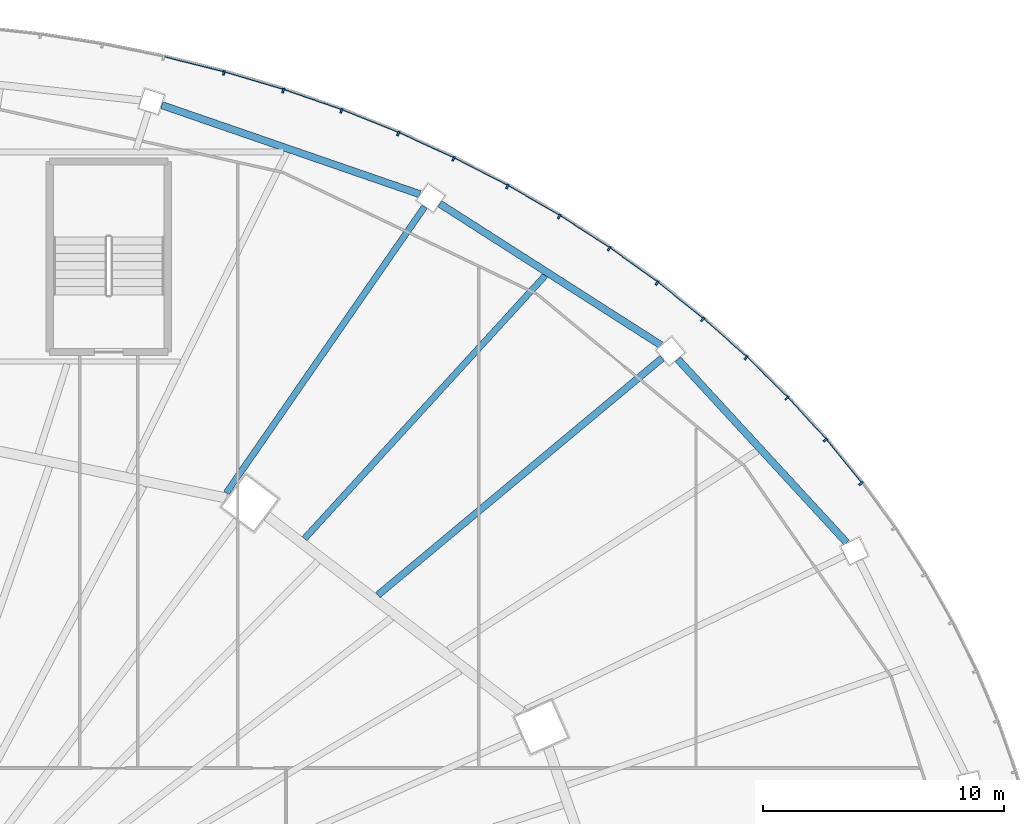
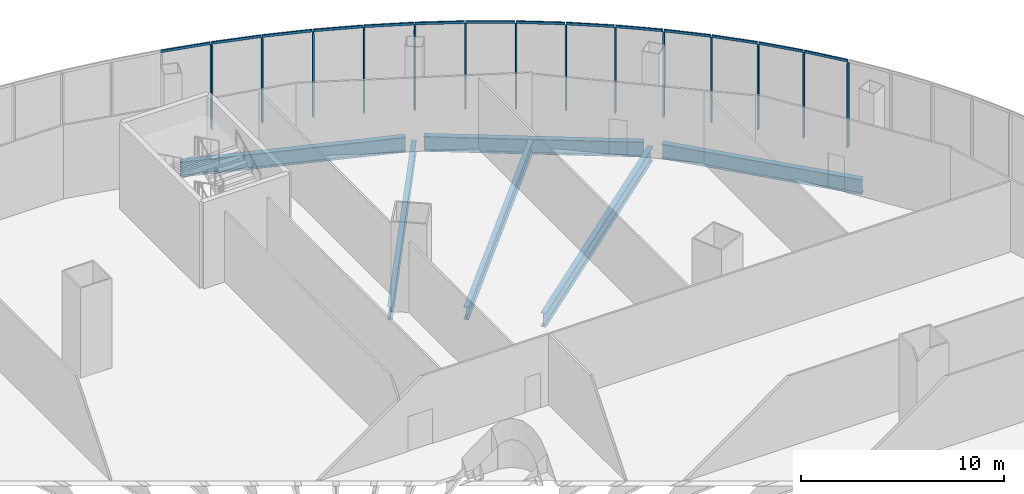
# One storey, part 15 of 42: 28 members, 6 beams, 3 elements without a shape of their own.
"""IFC4 building model written with IfcOpenShell, lengths in metres."""

from ifc_helpers import new_model, si_unit, direction, frame, origin, origin_2d, place, context, subcontext, project, spatial, rectangle, i_section, extrude, material, layer, layer_set, material_profile, profile_set, type_object, element, aggregate, save


model = new_model("IFC4")

# Units and contexts
model_context = context("Model", 3, precision=1e-05, world=origin(), true_north=direction((0.0, 1.0)))
body_context = subcontext(model_context, "Body", "Model", "MODEL_VIEW")
ifc_project = project(units=[si_unit("LENGTHUNIT", "METRE"), si_unit("AREAUNIT", "SQUARE_METRE"), si_unit("VOLUMEUNIT", "CUBIC_METRE"), si_unit("PLANEANGLEUNIT", "RADIAN"), si_unit("MASSUNIT", "GRAM", prefix="KILO")], contexts=[model_context])

# Site, building, storey
site_placement = place(None, origin())
site = spatial("IfcSite", under=ifc_project, at=site_placement, CompositionType="ELEMENT")
building_placement = place(site_placement, origin())
building = spatial("IfcBuilding", under=site, at=building_placement, Name="Sahrelin Media Tower", CompositionType="ELEMENT")
storey_placement = place(building_placement, frame((0.0, 0.0, 26.0)))
storey = spatial("IfcBuildingStorey", under=building, at=storey_placement, Name="L03", CompositionType="ELEMENT", Elevation=26.0)

# Curtain wall, members
ifc_material_1 = material(Name="Champagne anodised aluminium 6063-T6", Category="aluminium")
ifc_layer = layer(ifc_material_1, 0.14990234375)
ifc_layer_set = layer_set([ifc_layer], Name="Podium ribbon curtain wall")
curtain_wall_type = type_object("IfcCurtainWallType", Name="Podium ribbon curtain wall", PredefinedType="NOTDEFINED", material=ifc_layer_set)
curtain_wall_1_placement = place(storey_placement, frame((43.30126953125, 21.0, 0.0), z_axis=(0.0, 0.0, 1.0), x_axis=(1.0, 0.0, 0.0)))
curtain_wall_1 = element("IfcCurtainWall", 1, at=curtain_wall_1_placement, inside=storey, type_object=curtain_wall_type, Name="L03:CW:L03-P02", PredefinedType="NOTDEFINED")
ifc_material_profile_1 = material_profile(ifc_material_1, rectangle(XDim=0.080078125, YDim=0.199951171875, at=origin_2d()), Name="Mullion 80x200")
ifc_profile_set_1 = profile_set([ifc_material_profile_1], Name="Champagne anodised aluminium 6063-T6")
member_type_1 = type_object("IfcMemberType", Name="Mullion 80x200 CW5", PredefinedType="MULLION", material=ifc_profile_set_1)
member_1_placement = place(storey_placement, frame((41.840576171875, 22.798828125, 0.0), z_axis=(0.0, 0.0, 1.0), x_axis=(-0.633234995933, 0.77395958546, 0.0)))
member_1 = element("IfcMember", 2, at=member_1_placement, type_object=member_type_1, Name="L03:CWM2:L03-P02", PredefinedType="MULLION", context=body_context, shape_type="SweptSolid", body=[
    extrude(rectangle(XDim=0.080078125, YDim=0.199951171875, at=origin_2d()), origin(), (0.0, 0.0, 1.0), 5.050048828125),
])
member_2_placement = place(storey_placement, frame((40.3623046875, 24.606201171875, 0.0), z_axis=(0.0, 0.0, 1.0), x_axis=(-0.67442997344, 0.738338818514, 0.0)))
member_2 = element("IfcMember", 3, at=member_2_placement, type_object=member_type_1, Name="L03:CWM3:L03-P02", PredefinedType="MULLION", context=body_context, shape_type="SweptSolid", body=[
    extrude(rectangle(XDim=0.080078125, YDim=0.199951171875, at=origin_2d()), origin(), (0.0, 0.0, 1.0), 5.050048828125),
])
member_3_placement = place(storey_placement, frame((38.773193359375, 26.345947265625, 0.0), z_axis=(0.0, 0.0, 1.0), x_axis=(-0.712973923933, 0.70119054742, 0.0)))
member_3 = element("IfcMember", 4, at=member_3_placement, type_object=member_type_1, Name="L03:CWM4:L03-P02", PredefinedType="MULLION", context=body_context, shape_type="SweptSolid", body=[
    extrude(rectangle(XDim=0.080078125, YDim=0.199951171875, at=origin_2d()), origin(), (0.0, 0.0, 1.0), 5.050048828125),
])
member_4_placement = place(storey_placement, frame((37.07763671875, 28.013671875, 0.0), z_axis=(0.0, 0.0, 1.0), x_axis=(-0.748788005735, 0.662809567272, 0.0)))
member_4 = element("IfcMember", 5, at=member_4_placement, type_object=member_type_1, Name="L03:CWM5:L03-P02", PredefinedType="MULLION", context=body_context, shape_type="SweptSolid", body=[
    extrude(rectangle(XDim=0.080078125, YDim=0.199951171875, at=origin_2d()), origin(), (0.0, 0.0, 1.0), 5.050048828125),
])

curtain_wall_2_placement = place(storey_placement, frame((35.355224609375, 29.698486328125, 0.0), z_axis=(0.0, 0.0, 1.0), x_axis=(1.0, 0.0, 0.0)))
curtain_wall_2 = element("IfcCurtainWall", 6, at=curtain_wall_2_placement, inside=storey, type_object=curtain_wall_type, Name="L03:CW:L03-P03", PredefinedType="NOTDEFINED")
member_5_placement = place(storey_placement, frame((35.280517578125, 29.604736328125, 0.0), z_axis=(0.0, 0.0, 1.0), x_axis=(-0.781960183728, 0.623328381405, 0.0)))
member_5 = element("IfcMember", 7, at=member_5_placement, type_object=member_type_1, Name="L03:CWM1:L03-P03", PredefinedType="MULLION", context=body_context, shape_type="SweptSolid", body=[
    extrude(rectangle(XDim=0.080078125, YDim=0.199951171875, at=origin_2d()), origin(), (0.0, 0.0, 1.0), 5.050048828125),
])
member_6_placement = place(storey_placement, frame((33.38671875, 31.114501953125, 0.0), z_axis=(0.0, 0.0, 1.0), x_axis=(-0.812532432251, 0.582915985834, 0.0)))
member_6 = element("IfcMember", 8, at=member_6_placement, type_object=member_type_1, Name="L03:CWM2:L03-P03", PredefinedType="MULLION", context=body_context, shape_type="SweptSolid", body=[
    extrude(rectangle(XDim=0.080078125, YDim=0.199951171875, at=origin_2d()), origin(), (0.0, 0.0, 1.0), 5.050048828125),
])
member_7_placement = place(storey_placement, frame((31.40087890625, 32.539306640625, 0.0), z_axis=(0.0, 0.0, 1.0), x_axis=(-0.840519327336, 0.541781561494, 0.0)))
member_7 = element("IfcMember", 9, at=member_7_placement, type_object=member_type_1, Name="L03:CWM3:L03-P03", PredefinedType="MULLION", context=body_context, shape_type="SweptSolid", body=[
    extrude(rectangle(XDim=0.080078125, YDim=0.199951171875, at=origin_2d()), origin(), (0.0, 0.0, 1.0), 5.050048828125),
])
member_8_placement = place(storey_placement, frame((29.329345703125, 33.874755859375, 0.0), z_axis=(0.0, 0.0, 1.0), x_axis=(-0.866028894422, 0.49999395399, 0.0)))
member_8 = element("IfcMember", 10, at=member_8_placement, type_object=member_type_1, Name="L03:CWM4:L03-P03", PredefinedType="MULLION", context=body_context, shape_type="SweptSolid", body=[
    extrude(rectangle(XDim=0.080078125, YDim=0.199951171875, at=origin_2d()), origin(), (0.0, 0.0, 1.0), 5.050048828125),
])
member_9_placement = place(storey_placement, frame((27.177001953125, 35.117431640625, 0.0), z_axis=(0.0, 0.0, 1.0), x_axis=(-0.889123403251, 0.457667536309, 0.0)))
member_9 = element("IfcMember", 11, at=member_9_placement, type_object=member_type_1, Name="L03:CWM5:L03-P03", PredefinedType="MULLION", context=body_context, shape_type="SweptSolid", body=[
    extrude(rectangle(XDim=0.080078125, YDim=0.199951171875, at=origin_2d()), origin(), (0.0, 0.0, 1.0), 5.050048828125),
])

curtain_wall_3_placement = place(storey_placement, frame((25.0, 36.373046875, 0.0), z_axis=(0.0, 0.0, 1.0), x_axis=(1.0, 0.0, 0.0)))
curtain_wall_3 = element("IfcCurtainWall", 12, at=curtain_wall_3_placement, inside=storey, type_object=curtain_wall_type, Name="L03:CW:L03-P04", PredefinedType="NOTDEFINED")
member_10_placement = place(storey_placement, frame((24.9501953125, 36.263916015625, 0.0), z_axis=(0.0, 0.0, 1.0), x_axis=(-0.909841810065, 0.414955275491, 0.0)))
member_10 = element("IfcMember", 13, at=member_10_placement, type_object=member_type_1, Name="L03:CWM1:L03-P04", PredefinedType="MULLION", context=body_context, shape_type="SweptSolid", body=[
    extrude(rectangle(XDim=0.080078125, YDim=0.199951171875, at=origin_2d()), origin(), (0.0, 0.0, 1.0), 5.050048828125),
])
member_11_placement = place(storey_placement, frame((22.65478515625, 37.310791015625, 0.0), z_axis=(0.0, 0.0, 1.0), x_axis=(-0.928270482181, 0.371905783648, 0.0)))
member_11 = element("IfcMember", 14, at=member_11_placement, type_object=member_type_1, Name="L03:CWM2:L03-P04", PredefinedType="MULLION", context=body_context, shape_type="SweptSolid", body=[
    extrude(rectangle(XDim=0.080078125, YDim=0.199951171875, at=origin_2d()), origin(), (0.0, 0.0, 1.0), 5.050048828125),
])
member_12_placement = place(storey_placement, frame((20.29736328125, 38.255615234375, 0.0), z_axis=(0.0, 0.0, 1.0), x_axis=(-0.944458420046, 0.328630937077, 0.0)))
member_12 = element("IfcMember", 15, at=member_12_placement, type_object=member_type_1, Name="L03:CWM3:L03-P04", PredefinedType="MULLION", context=body_context, shape_type="SweptSolid", body=[
    extrude(rectangle(XDim=0.080078125, YDim=0.199951171875, at=origin_2d()), origin(), (0.0, 0.0, 1.0), 5.050048828125),
])
member_13_placement = place(storey_placement, frame((17.88427734375, 39.095458984375, 0.0), z_axis=(0.0, 0.0, 1.0), x_axis=(-0.958494922328, 0.285109599754, 0.0)))
member_13 = element("IfcMember", 16, at=member_13_placement, type_object=member_type_1, Name="L03:CWM4:L03-P04", PredefinedType="MULLION", context=body_context, shape_type="SweptSolid", body=[
    extrude(rectangle(XDim=0.080078125, YDim=0.199951171875, at=origin_2d()), origin(), (0.0, 0.0, 1.0), 5.050048828125),
])
member_14_placement = place(storey_placement, frame((15.421875, 39.827880859375, 0.0), z_axis=(0.0, 0.0, 1.0), x_axis=(-0.970410464409, 0.241461240296, 0.0)))
member_14 = element("IfcMember", 17, at=member_14_placement, type_object=member_type_1, Name="L03:CWM5:L03-P04", PredefinedType="MULLION", context=body_context, shape_type="SweptSolid", body=[
    extrude(rectangle(XDim=0.080078125, YDim=0.199951171875, at=origin_2d()), origin(), (0.0, 0.0, 1.0), 5.050048828125),
])

# Beams
ifc_material_2 = material(Name="Steel S355", Category="steel")
ifc_material_profile_2 = material_profile(ifc_material_2, i_section(OverallWidth=0.30322265625, OverallDepth=0.903076171875, WebThickness=0.01513671875, FlangeThickness=0.020263671875, FilletRadius=0.01904296875, at=origin_2d()), Name="UB 914x305x201")
ifc_profile_set_2 = profile_set([ifc_material_profile_2], Name="Steel S355")
beam_type_1 = type_object("IfcBeamType", Name="Podium edge girder PE11", PredefinedType="BEAM", material=ifc_profile_set_2)
beam_1_placement = place(storey_placement, frame((41.25048828125, 20.34619140625, -0.651611328125), z_axis=(-0.677370529771, 0.735642008995, 0.0), x_axis=(-0.735642008995, -0.677370529771, 0.0)))
element("IfcBeam", 18, at=beam_1_placement, inside=storey, type_object=beam_type_1, Name="Podium edge girder L03-03", PredefinedType="BEAM", context=body_context, shape_type="SweptSolid", body=[
    extrude(i_section(OverallWidth=0.30322265625, OverallDepth=0.903076171875, WebThickness=0.01513671875, FlangeThickness=0.020263671875, FilletRadius=0.01904296875, at=origin_2d()), origin(), (0.0, 0.0, 1.0), 10.340087890625),
])
beam_2_placement = place(storey_placement, frame((33.54345703125, 28.53857421875, -0.651611328125), z_axis=(-0.842485743715, 0.538718638657, 0.0), x_axis=(-0.538718638657, -0.842485743715, 0.0)))
element("IfcBeam", 19, at=beam_2_placement, inside=storey, type_object=beam_type_1, Name="Podium edge girder L03-04", PredefinedType="BEAM", context=body_context, shape_type="SweptSolid", body=[
    extrude(i_section(OverallWidth=0.30322265625, OverallDepth=0.903076171875, WebThickness=0.01513671875, FlangeThickness=0.020263671875, FilletRadius=0.01904296875, at=origin_2d()), origin(), (0.0, 0.0, 1.0), 10.87744140625),
])
beam_3_placement = place(storey_placement, frame((23.55810546875, 34.79345703125, -0.651611328125), z_axis=(-0.94527240249, 0.32628221694, 0.0), x_axis=(-0.32628221694, -0.94527240249, 0.0)))
element("IfcBeam", 20, at=beam_3_placement, inside=storey, type_object=beam_type_1, Name="Podium edge girder L03-05", PredefinedType="BEAM", context=body_context, shape_type="SweptSolid", body=[
    extrude(i_section(OverallWidth=0.30322265625, OverallDepth=0.903076171875, WebThickness=0.01513671875, FlangeThickness=0.020263671875, FilletRadius=0.01904296875, at=origin_2d()), origin(), (0.0, 0.0, 1.0), 11.329345703125),
])
ifc_material_profile_3 = material_profile(ifc_material_2, i_section(OverallWidth=0.291748046875, OverallDepth=0.8349609375, WebThickness=0.013916015625, FlangeThickness=0.018798828125, FilletRadius=0.017822265625, at=origin_2d()), Name="UB 838x292x176")
ifc_profile_set_3 = profile_set([ifc_material_profile_3], Name="Steel S355")
beam_type_2 = type_object("IfcBeamType", Name="Radial primary beam PB10", PredefinedType="BEAM", material=ifc_profile_set_3)
beam_4_placement = place(storey_placement, frame((21.809326171875, 18.174560546875, -0.617431640625), z_axis=(0.768229105739, 0.640175008178, 0.0), x_axis=(-0.640175008178, 0.768229105739, 0.0)))
element("IfcBeam", 21, at=beam_4_placement, inside=storey, type_object=beam_type_2, Name="Radial beam L03-04", PredefinedType="BEAM", context=body_context, shape_type="SweptSolid", body=[
    extrude(i_section(OverallWidth=0.291748046875, OverallDepth=0.8349609375, WebThickness=0.013916015625, FlangeThickness=0.018798828125, FilletRadius=0.017822265625, at=origin_2d()), origin(), (0.0, 0.0, 1.0), 15.342041015625),
])
ifc_material_profile_4 = material_profile(ifc_material_2, i_section(OverallWidth=0.26513671875, OverallDepth=0.75390625, WebThickness=0.0126953125, FlangeThickness=0.017578125, FilletRadius=0.0166015625, at=origin_2d()), Name="UB 762x267x147")
ifc_profile_set_4 = profile_set([ifc_material_profile_4], Name="Steel S355")
beam_type_3 = type_object("IfcBeamType", Name="Radial primary beam PB9", PredefinedType="BEAM", material=ifc_profile_set_4)
beam_5_placement = place(storey_placement, frame((15.527099609375, 22.411376953125, -0.576904296875), z_axis=(0.569493278726, 0.821995988729, 0.0), x_axis=(-0.821995988729, 0.569493278726, 0.0)))
element("IfcBeam", 22, at=beam_5_placement, inside=storey, type_object=beam_type_3, Name="Radial beam L03-05", PredefinedType="BEAM", context=body_context, shape_type="SweptSolid", body=[
    extrude(i_section(OverallWidth=0.26513671875, OverallDepth=0.75390625, WebThickness=0.0126953125, FlangeThickness=0.017578125, FilletRadius=0.0166015625, at=origin_2d()), origin(), (0.0, 0.0, 1.0), 14.427734375),
])
ifc_material_profile_5 = material_profile(ifc_material_2, i_section(OverallWidth=0.26513671875, OverallDepth=0.75390625, WebThickness=0.0126953125, FlangeThickness=0.017578125, FilletRadius=0.0166015625, at=origin_2d()), Name="UB 762x267x147")
ifc_profile_set_5 = profile_set([ifc_material_profile_5], Name="Steel S355")
beam_type_4 = type_object("IfcBeamType", Name="Radial secondary beam SB9", PredefinedType="BEAM", material=ifc_profile_set_5)
beam_6_placement = place(storey_placement, frame((18.7685546875, 20.514892578125, -0.576904296875), z_axis=(0.675004282666, 0.737813810106, 0.0), x_axis=(-0.737813810106, 0.675004282666, 0.0)))
element("IfcBeam", 23, at=beam_6_placement, inside=storey, type_object=beam_type_4, Name="Secondary beam L03-04", PredefinedType="BEAM", context=body_context, shape_type="SweptSolid", body=[
    extrude(i_section(OverallWidth=0.26513671875, OverallDepth=0.75390625, WebThickness=0.0126953125, FlangeThickness=0.017578125, FilletRadius=0.0166015625, at=origin_2d()), origin(), (0.0, 0.0, 1.0), 14.7861328125),
])

# Member
ifc_material_profile_6 = material_profile(ifc_material_1, rectangle(XDim=0.06005859375, YDim=0.14990234375, at=origin_2d()), Name="Transom 60x150")
ifc_profile_set_6 = profile_set([ifc_material_profile_6], Name="Champagne anodised aluminium 6063-T6")
member_type_2 = type_object("IfcMemberType", Name="Transom 60x150 CW5", PredefinedType="USERDEFINED", material=ifc_profile_set_6)
member_15_placement = place(storey_placement, frame((41.863037109375, 22.8818359375, 5.125), z_axis=(-0.633220383586, 0.773971540698, 0.0), x_axis=(-0.773971540698, -0.633220383586, 0.0)))
member_15 = element("IfcMember", 24, at=member_15_placement, type_object=member_type_2, Name="L03:CWT2a:L03-P02", ObjectType="TRANSOM", PredefinedType="USERDEFINED", context=body_context, shape_type="SweptSolid", body=[
    extrude(rectangle(XDim=0.06005859375, YDim=0.14990234375, at=origin_2d()), origin(), (0.0, 0.0, 1.0), 2.291259765625),
])

member_16_placement = place(storey_placement, frame((40.380126953125, 24.690185546875, 5.125), z_axis=(-0.674452068042, 0.738318635762, 0.0), x_axis=(-0.738318635762, -0.674452068042, 0.0)))
member_16 = element("IfcMember", 25, at=member_16_placement, type_object=member_type_2, Name="L03:CWT3a:L03-P02", ObjectType="TRANSOM", PredefinedType="USERDEFINED", context=body_context, shape_type="SweptSolid", body=[
    extrude(rectangle(XDim=0.06005859375, YDim=0.14990234375, at=origin_2d()), origin(), (0.0, 0.0, 1.0), 2.312744140625),
])

member_17_placement = place(storey_placement, frame((38.78662109375, 26.430908203125, 5.125), z_axis=(-0.712990568358, 0.701173622887, 0.0), x_axis=(-0.701173622887, -0.712990568358, 0.0)))
member_17 = element("IfcMember", 26, at=member_17_placement, type_object=member_type_2, Name="L03:CWT4a:L03-P02", ObjectType="TRANSOM", PredefinedType="USERDEFINED", context=body_context, shape_type="SweptSolid", body=[
    extrude(rectangle(XDim=0.06005859375, YDim=0.14990234375, at=origin_2d()), origin(), (0.0, 0.0, 1.0), 2.334716796875),
])

member_18_placement = place(storey_placement, frame((37.086669921875, 28.09912109375, 5.125), z_axis=(-0.74874536596, 0.662857735078, 0.0), x_axis=(-0.662857735078, -0.74874536596, 0.0)))
member_18 = element("IfcMember", 27, at=member_18_placement, type_object=member_type_2, Name="L03:CWT5a:L03-P02", ObjectType="TRANSOM", PredefinedType="USERDEFINED", context=body_context, shape_type="SweptSolid", body=[
    extrude(rectangle(XDim=0.06005859375, YDim=0.14990234375, at=origin_2d()), origin(), (0.0, 0.0, 1.0), 2.3564453125),
])

aggregate(curtain_wall_1, [member_1, member_15, member_2, member_16, member_3, member_17, member_4, member_18])

member_19_placement = place(storey_placement, frame((35.284912109375, 29.690673828125, 5.125), z_axis=(-0.781949308238, 0.62334202437, 0.0), x_axis=(-0.62334202437, -0.781949308238, 0.0)))
member_19 = element("IfcMember", 28, at=member_19_placement, type_object=member_type_2, Name="L03:CWT1a:L03-P03", ObjectType="TRANSOM", PredefinedType="USERDEFINED", context=body_context, shape_type="SweptSolid", body=[
    extrude(rectangle(XDim=0.06005859375, YDim=0.14990234375, at=origin_2d()), origin(), (0.0, 0.0, 1.0), 2.378173828125),
])

member_20_placement = place(storey_placement, frame((33.38671875, 31.20068359375, 5.125), z_axis=(-0.812494250999, 0.582969203384, 0.0), x_axis=(-0.582969203384, -0.812494250999, 0.0)))
member_20 = element("IfcMember", 29, at=member_20_placement, type_object=member_type_2, Name="L03:CWT2a:L03-P03", ObjectType="TRANSOM", PredefinedType="USERDEFINED", context=body_context, shape_type="SweptSolid", body=[
    extrude(rectangle(XDim=0.06005859375, YDim=0.14990234375, at=origin_2d()), origin(), (0.0, 0.0, 1.0), 2.399658203125),
])

member_21_placement = place(storey_placement, frame((31.39697265625, 32.625244140625, 5.125), z_axis=(-0.840515923585, 0.541786842033, 0.0), x_axis=(-0.541786842033, -0.840515923585, 0.0)))
member_21 = element("IfcMember", 30, at=member_21_placement, type_object=member_type_2, Name="L03:CWT3a:L03-P03", ObjectType="TRANSOM", PredefinedType="USERDEFINED", context=body_context, shape_type="SweptSolid", body=[
    extrude(rectangle(XDim=0.06005859375, YDim=0.14990234375, at=origin_2d()), origin(), (0.0, 0.0, 1.0), 2.420654296875),
])

member_22_placement = place(storey_placement, frame((29.321044921875, 33.96044921875, 5.125), z_axis=(-0.866037355757, 0.499979298005, 0.0), x_axis=(-0.499979298005, -0.866037355757, 0.0)))
member_22 = element("IfcMember", 31, at=member_22_placement, type_object=member_type_2, Name="L03:CWT4a:L03-P03", ObjectType="TRANSOM", PredefinedType="USERDEFINED", context=body_context, shape_type="SweptSolid", body=[
    extrude(rectangle(XDim=0.06005859375, YDim=0.14990234375, at=origin_2d()), origin(), (0.0, 0.0, 1.0), 2.44091796875),
])

member_23_placement = place(storey_placement, frame((27.164794921875, 35.20263671875, 5.125), z_axis=(-0.889147091366, 0.457621513824, 0.0), x_axis=(-0.457621513824, -0.889147091366, 0.0)))
member_23 = element("IfcMember", 32, at=member_23_placement, type_object=member_type_2, Name="L03:CWT5a:L03-P03", ObjectType="TRANSOM", PredefinedType="USERDEFINED", context=body_context, shape_type="SweptSolid", body=[
    extrude(rectangle(XDim=0.06005859375, YDim=0.14990234375, at=origin_2d()), origin(), (0.0, 0.0, 1.0), 2.46044921875),
])

aggregate(curtain_wall_2, [member_5, member_19, member_6, member_20, member_7, member_21, member_8, member_22, member_9, member_23])

member_24_placement = place(storey_placement, frame((24.933837890625, 36.348388671875, 5.125), z_axis=(-0.909869936632, 0.414893598906, 0.0), x_axis=(-0.414893598906, -0.909869936632, 0.0)))
member_24 = element("IfcMember", 33, at=member_24_placement, type_object=member_type_2, Name="L03:CWT1a:L03-P04", ObjectType="TRANSOM", PredefinedType="USERDEFINED", context=body_context, shape_type="SweptSolid", body=[
    extrude(rectangle(XDim=0.06005859375, YDim=0.14990234375, at=origin_2d()), origin(), (0.0, 0.0, 1.0), 2.478515625),
])

member_25_placement = place(storey_placement, frame((22.634521484375, 37.39453125, 5.125), z_axis=(-0.928280887293, 0.371879811615, 0.0), x_axis=(-0.371879811615, -0.928280887293, 0.0)))
member_25 = element("IfcMember", 34, at=member_25_placement, type_object=member_type_2, Name="L03:CWT2a:L03-P04", ObjectType="TRANSOM", PredefinedType="USERDEFINED", context=body_context, shape_type="SweptSolid", body=[
    extrude(rectangle(XDim=0.06005859375, YDim=0.14990234375, at=origin_2d()), origin(), (0.0, 0.0, 1.0), 2.495361328125),
])

member_26_placement = place(storey_placement, frame((20.273193359375, 38.338134765625, 5.125), z_axis=(-0.944469242615, 0.328599832248, 0.0), x_axis=(-0.328599832248, -0.944469242615, 0.0)))
member_26 = element("IfcMember", 35, at=member_26_placement, type_object=member_type_2, Name="L03:CWT3a:L03-P04", ObjectType="TRANSOM", PredefinedType="USERDEFINED", context=body_context, shape_type="SweptSolid", body=[
    extrude(rectangle(XDim=0.06005859375, YDim=0.14990234375, at=origin_2d()), origin(), (0.0, 0.0, 1.0), 2.510498046875),
])

member_27_placement = place(storey_placement, frame((17.856201171875, 39.1767578125, 5.125), z_axis=(-0.958497078849, 0.285102349758, 0.0), x_axis=(-0.285102349758, -0.958497078849, 0.0)))
member_27 = element("IfcMember", 36, at=member_27_placement, type_object=member_type_2, Name="L03:CWT4a:L03-P04", ObjectType="TRANSOM", PredefinedType="USERDEFINED", context=body_context, shape_type="SweptSolid", body=[
    extrude(rectangle(XDim=0.06005859375, YDim=0.14990234375, at=origin_2d()), origin(), (0.0, 0.0, 1.0), 2.5244140625),
])

member_28_placement = place(storey_placement, frame((15.39013671875, 39.907958984375, 5.125), z_axis=(-0.970396770558, 0.241516267963, 0.0), x_axis=(-0.241516267963, -0.970396770558, 0.0)))
member_28 = element("IfcMember", 37, at=member_28_placement, type_object=member_type_2, Name="L03:CWT5a:L03-P04", ObjectType="TRANSOM", PredefinedType="USERDEFINED", context=body_context, shape_type="SweptSolid", body=[
    extrude(rectangle(XDim=0.06005859375, YDim=0.14990234375, at=origin_2d()), origin(), (0.0, 0.0, 1.0), 2.536376953125),
])

aggregate(curtain_wall_3, [member_10, member_24, member_11, member_25, member_12, member_26, member_13, member_27, member_14, member_28])

save(model, "model.ifc")
